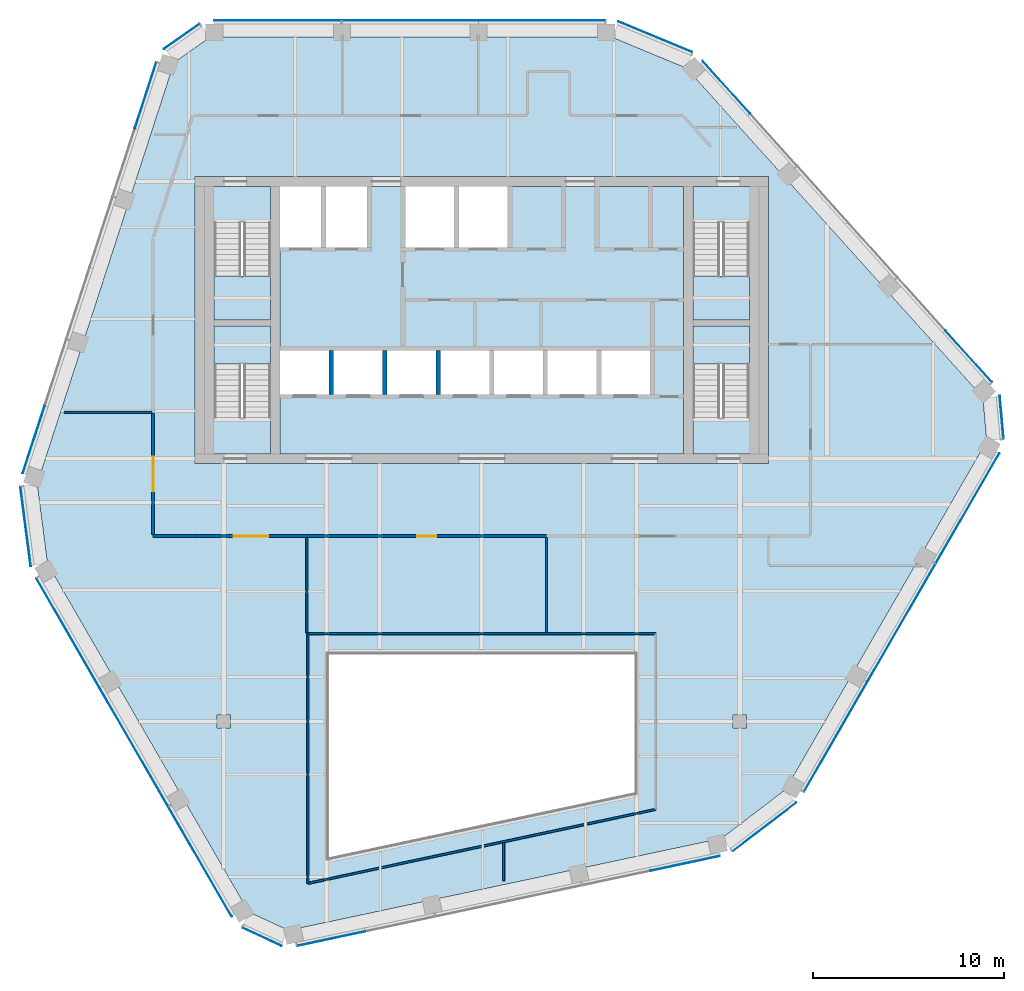
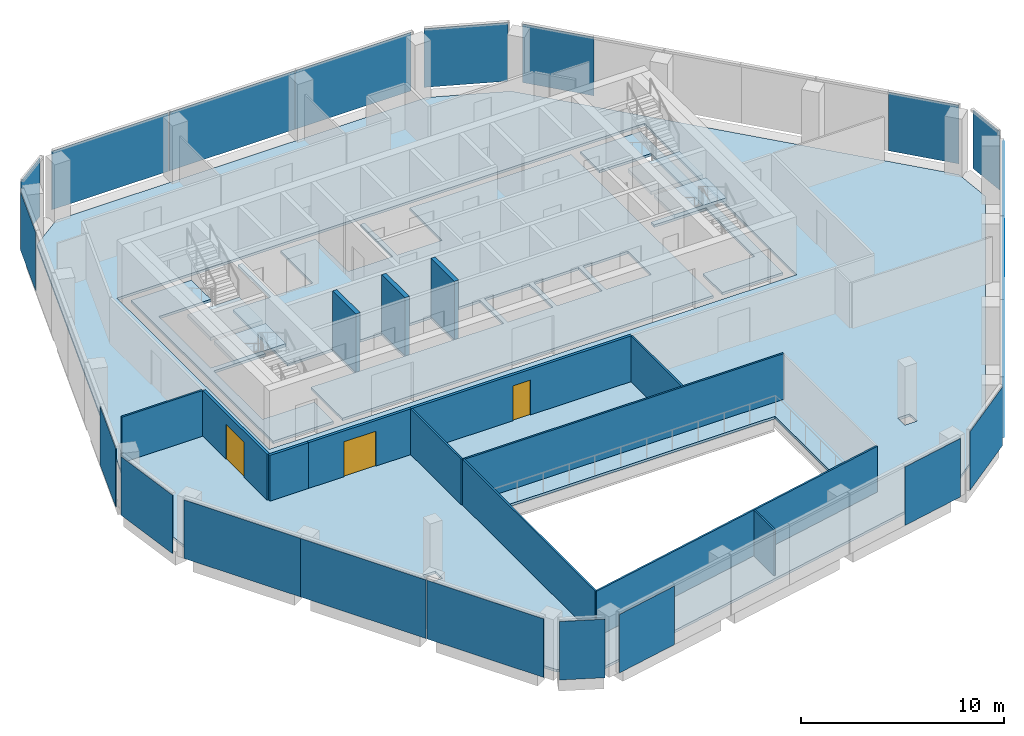
# One storey, part 7 of 15: 21 plates, 14 walls, 8 slabs, 3 doors, 3 openings, 16 elements without a shape of their own.
"""IFC4 building model written with IfcOpenShell, lengths in metres."""

from ifc_helpers import new_model, si_unit, direction, frame, frame_2d, origin, origin_2d, place, context, subcontext, project, spatial, polyline, rectangle, outline, extrude, material, layer, layer_set, type_object, element, fill, aggregate, save


model = new_model("IFC4")

# Units and contexts
model_context = context("Model", 3, precision=1e-05, world=origin(), true_north=direction((0.0, 1.0)))
body_context = subcontext(model_context, "Body", "Model", "MODEL_VIEW")
ifc_project = project(units=[si_unit("LENGTHUNIT", "METRE"), si_unit("AREAUNIT", "SQUARE_METRE"), si_unit("VOLUMEUNIT", "CUBIC_METRE"), si_unit("PLANEANGLEUNIT", "RADIAN"), si_unit("MASSUNIT", "GRAM", prefix="KILO")], contexts=[model_context])

# Site, building, storey
site_placement = place(None, origin())
site = spatial("IfcSite", under=ifc_project, at=site_placement, CompositionType="ELEMENT")
building_placement = place(site_placement, origin())
building = spatial("IfcBuilding", under=site, at=building_placement, Name="Isthmus Gate Tower", CompositionType="ELEMENT")
storey_placement = place(building_placement, frame((0.0, 0.0, 275.550048828125)))
storey = spatial("IfcBuildingStorey", under=building, at=storey_placement, Name="L70", CompositionType="ELEMENT", Elevation=275.550048828125)

# Slabs
ifc_material_1 = material(Name="Concrete f'c 40 MPa", Category="concrete")
ifc_layer_1 = layer(ifc_material_1, 0.14990234375)
ifc_layer_set_1 = layer_set([ifc_layer_1], Name="COMPOSITE FLOOR SLAB 150")
slab_type_1 = type_object("IfcSlabType", Name="COMPOSITE FLOOR SLAB 150", PredefinedType="FLOOR", material=ifc_layer_set_1)
slab_1_placement = place(storey_placement, frame((0.0, 0.0, -0.150146484375)))
element("IfcSlab", 1, at=slab_1_placement, inside=storey, type_object=slab_type_1, Name="str-slab-L70-1", PredefinedType="FLOOR", context=body_context, shape_type="SweptSolid", body=[
    extrude(outline(polyline([(10.7080078125, 20.68310546875), (26.218017578125, 3.45751953125), (26.423583984375, 1.1669921875), (15.902587890625, -17.055908203125), (12.55810546875, -19.614990234375), (-10.11474609375, -24.434326171875), (-12.201171875, -23.467041015625), (-22.72216796875, -5.243896484375), (-23.26611328125, -1.068115234375), (-16.103515625, 20.976806640625), (-14.22265625, 22.300048828125), (6.819580078125, 22.300048828125), (10.7080078125, 20.68310546875)]), holes=[polyline([(-8.0, -10.0), (-8.0, -20.611083984375), (8.0, -17.210205078125), (8.0, -10.0), (-8.0, -10.0)]), polyline([(-13.85009765625, -13.14990234375), (-13.85009765625, -13.85009765625), (-13.14990234375, -13.85009765625), (-13.14990234375, -13.14990234375), (-13.85009765625, -13.14990234375)]), polyline([(13.14990234375, -13.14990234375), (13.14990234375, -13.85009765625), (13.85009765625, -13.85009765625), (13.85009765625, -13.14990234375), (13.14990234375, -13.14990234375)]), polyline([(-15.0, 0.0), (15.0, 0.0), (15.0, 15.0), (-15.0, 15.0), (-15.0, 0.0)])]), origin(), (0.0, 0.0, 1.0), 0.150146484375),
])
ifc_material_2 = material(Name="Concrete f'c 40 MPa", Category="concrete")
ifc_layer_2 = layer(ifc_material_2, 0.14990234375)
ifc_layer_set_2 = layer_set([ifc_layer_2], Name="CORE FLOOR SLAB 150")
slab_type_2 = type_object("IfcSlabType", Name="CORE FLOOR SLAB 150", PredefinedType="FLOOR", material=ifc_layer_set_2)
slab_2_placement = place(storey_placement, frame((0.0, 0.0, -0.150146484375)))
element("IfcSlab", 2, at=slab_2_placement, inside=storey, type_object=slab_type_2, Name="L70 core floor", PredefinedType="FLOOR", context=body_context, shape_type="SweptSolid", body=[
    extrude(outline(polyline([(-11.050048828125, 0.5), (-11.050048828125, 2.402099609375), (-14.0, 2.402099609375), (-14.0, 7.199951171875), (-11.050048828125, 7.199951171875), (-11.050048828125, 7.5), (-14.0, 7.5), (-14.0, 12.597900390625), (-11.050048828125, 12.597900390625), (-11.050048828125, 14.5), (-14.5, 14.5), (-14.5, 0.5), (-11.050048828125, 0.5)])), origin(), (0.0, 0.0, 1.0), 0.150146484375),
])
slab_3_placement = place(storey_placement, frame((0.0, 0.0, -0.150146484375)))
element("IfcSlab", 3, at=slab_3_placement, inside=storey, type_object=slab_type_2, Name="L70 core floor", PredefinedType="FLOOR", context=body_context, shape_type="SweptSolid", body=[
    extrude(outline(polyline([(10.550048828125, 14.5), (1.35009765625, 14.5), (1.35009765625, 11.300048828125), (-1.199951171875, 11.300048828125), (-1.199951171875, 14.5), (-1.449951171875, 14.5), (-1.449951171875, 11.300048828125), (-4.0, 11.300048828125), (-4.0, 14.5), (-6.0, 14.5), (-6.0, 11.300048828125), (-8.14990234375, 11.300048828125), (-8.14990234375, 14.5), (-8.39990234375, 14.5), (-8.39990234375, 11.300048828125), (-10.550048828125, 11.300048828125), (-10.550048828125, 5.89990234375), (-8.0, 5.89990234375), (-8.0, 3.60009765625), (-10.550048828125, 3.60009765625), (-10.550048828125, 0.5), (10.550048828125, 0.5), (10.550048828125, 14.5)]), holes=[polyline([(-5.199951171875, 5.89990234375), (-5.199951171875, 3.60009765625), (-7.75, 3.60009765625), (-7.75, 5.89990234375), (-5.199951171875, 5.89990234375)]), polyline([(-2.39990234375, 5.89990234375), (-2.39990234375, 3.60009765625), (-4.949951171875, 3.60009765625), (-4.949951171875, 5.89990234375), (-2.39990234375, 5.89990234375)]), polyline([(0.39990234375, 5.89990234375), (0.39990234375, 3.60009765625), (-2.14990234375, 3.60009765625), (-2.14990234375, 5.89990234375), (0.39990234375, 5.89990234375)]), polyline([(3.199951171875, 5.89990234375), (3.199951171875, 3.60009765625), (0.64990234375, 3.60009765625), (0.64990234375, 5.89990234375), (3.199951171875, 5.89990234375)]), polyline([(6.0, 5.89990234375), (6.0, 3.60009765625), (3.449951171875, 3.60009765625), (3.449951171875, 5.89990234375), (6.0, 5.89990234375)]), polyline([(8.800048828125, 5.89990234375), (8.800048828125, 3.60009765625), (6.25, 3.60009765625), (6.25, 5.89990234375), (8.800048828125, 5.89990234375)])]), origin(), (0.0, 0.0, 1.0), 0.150146484375),
])
slab_4_placement = place(storey_placement, frame((0.0, 0.0, -0.150146484375)))
element("IfcSlab", 4, at=slab_4_placement, inside=storey, type_object=slab_type_2, Name="L70 core floor", PredefinedType="FLOOR", context=body_context, shape_type="SweptSolid", body=[
    extrude(outline(polyline([(11.050048828125, 14.5), (11.050048828125, 12.597900390625), (14.0, 12.597900390625), (14.0, 7.5), (11.050048828125, 7.5), (11.050048828125, 7.199951171875), (14.0, 7.199951171875), (14.0, 2.402099609375), (11.050048828125, 2.402099609375), (11.050048828125, 0.5), (14.5, 0.5), (14.5, 14.5), (11.050048828125, 14.5)])), origin(), (0.0, 0.0, 1.0), 0.150146484375),
])

# Curtain wall, plates
ifc_material_3 = material(Name="Aluminium, pale champagne anodised", Category="aluminium")
ifc_layer_3 = layer(ifc_material_3, 0.199951171875)
ifc_layer_set_3 = layer_set([ifc_layer_3], Name="CW-1 UNITISED CURTAIN WALL 200 DEEP")
curtain_wall_type = type_object("IfcCurtainWallType", Name="CW-1 UNITISED CURTAIN WALL 200 DEEP", PredefinedType="NOTDEFINED", material=ifc_layer_set_3)
curtain_wall_1_placement = place(storey_placement, origin())
curtain_wall_1 = element("IfcCurtainWall", 5, at=curtain_wall_1_placement, inside=storey, type_object=curtain_wall_type, Name="CW-1 N L70", PredefinedType="NOTDEFINED")
ifc_material_4 = material(Name="Laminated low-iron glass, pale blue tint", Category="glass")
ifc_layer_4 = layer(ifc_material_4, 0.031982421875)
ifc_layer_set_4 = layer_set([ifc_layer_4], Name="CW-1 CLEAR GLASS LITE 32")
plate_type = type_object("IfcPlateType", Name="CW-1 CLEAR GLASS LITE 32", PredefinedType="CURTAIN_PANEL", material=ifc_layer_set_4)
plate_1_placement = place(storey_placement, frame((3.13720703125, 23.18408203125, 0.0), z_axis=(0.0, 0.0, 1.0), x_axis=(-1.0, 0.0, 0.0)))
plate_1 = element("IfcPlate", 6, at=plate_1_placement, type_object=plate_type, Name="CW-1 glass lite", PredefinedType="CURTAIN_PANEL", context=body_context, shape_type="SweptSolid", body=[
    extrude(rectangle(XDim=6.62451171875, YDim=0.031982421875, at=origin_2d()), origin(), (0.0, 0.0, 1.0), 3.52001953125),
])
plate_2_placement = place(storey_placement, frame((-3.742431640625, 23.18408203125, 0.0), z_axis=(0.0, 0.0, 1.0), x_axis=(-1.0, 0.0, 0.0)))
plate_2 = element("IfcPlate", 7, at=plate_2_placement, type_object=plate_type, Name="CW-1 glass lite", PredefinedType="CURTAIN_PANEL", context=body_context, shape_type="SweptSolid", body=[
    extrude(rectangle(XDim=7.134521484375, YDim=0.031982421875, at=origin_2d()), origin(), (0.0, 0.0, 1.0), 3.52001953125),
])
plate_3_placement = place(storey_placement, frame((-10.681884765625, 23.18408203125, 0.0), z_axis=(0.0, 0.0, 1.0), x_axis=(-1.0, 0.0, 0.0)))
plate_3 = element("IfcPlate", 8, at=plate_3_placement, type_object=plate_type, Name="CW-1 glass lite", PredefinedType="CURTAIN_PANEL", context=body_context, shape_type="SweptSolid", body=[
    extrude(rectangle(XDim=6.62451171875, YDim=0.031982421875, at=origin_2d()), origin(), (0.0, 0.0, 1.0), 3.52001953125),
])
aggregate(curtain_wall_1, [plate_1, plate_2, plate_3])

# Curtain wall, plate
curtain_wall_2_placement = place(storey_placement, origin())
curtain_wall_2 = element("IfcCurtainWall", 9, at=curtain_wall_2_placement, inside=storey, type_object=curtain_wall_type, Name="CW-1 N-NW L70", PredefinedType="NOTDEFINED")
plate_4_placement = place(storey_placement, frame((-15.6953125, 22.3447265625, 0.0), z_axis=(0.0, 0.0, 1.0), x_axis=(-0.81785959165, -0.57541783805, 0.0)))
plate_4 = element("IfcPlate", 10, at=plate_4_placement, type_object=plate_type, Name="CW-1 glass lite", PredefinedType="CURTAIN_PANEL", context=body_context, shape_type="SweptSolid", body=[
    extrude(rectangle(XDim=2.258544921875, YDim=0.031982421875, at=origin_2d()), origin(), (0.0, 0.0, 1.0), 3.52001953125),
])
aggregate(curtain_wall_2, [plate_4])

# Curtain wall, plates
curtain_wall_3_placement = place(storey_placement, origin())
curtain_wall_3 = element("IfcCurtainWall", 11, at=curtain_wall_3_placement, inside=storey, type_object=curtain_wall_type, Name="CW-1 NW L70", PredefinedType="NOTDEFINED")
plate_5_placement = place(storey_placement, frame((-17.592529296875, 19.254150390625, 0.0), z_axis=(0.0, 0.0, 1.0), x_axis=(-0.309016994375, -0.951056516295, 0.0)))
plate_5 = element("IfcPlate", 12, at=plate_5_placement, type_object=plate_type, Name="CW-1 glass lite", PredefinedType="CURTAIN_PANEL", context=body_context, shape_type="SweptSolid", body=[
    extrude(rectangle(XDim=3.643310546875, YDim=0.031982421875, at=origin_2d()), origin(), (0.0, 0.0, 1.0), 3.52001953125),
])
plate_6_placement = place(storey_placement, frame((-23.4443359375, 1.244140625, 0.0), z_axis=(0.0, 0.0, 1.0), x_axis=(-0.309016994375, -0.951056516295, 0.0)))
plate_6 = element("IfcPlate", 13, at=plate_6_placement, type_object=plate_type, Name="CW-1 glass lite", PredefinedType="CURTAIN_PANEL", context=body_context, shape_type="SweptSolid", body=[
    extrude(rectangle(XDim=3.703369140625, YDim=0.031982421875, at=origin_2d()), origin(), (0.0, 0.0, 1.0), 3.52001953125),
])
aggregate(curtain_wall_3, [plate_5, plate_6])

# Curtain wall, plate
curtain_wall_4_placement = place(storey_placement, origin())
curtain_wall_4 = element("IfcCurtainWall", 14, at=curtain_wall_4_placement, inside=storey, type_object=curtain_wall_type, Name="CW-1 NW-SW L70", PredefinedType="NOTDEFINED")
plate_7_placement = place(storey_placement, frame((-23.866943359375, -3.2998046875, 0.0), z_axis=(0.0, 0.0, 1.0), x_axis=(0.129164534, -0.991623175988, 0.0)))
plate_7 = element("IfcPlate", 15, at=plate_7_placement, type_object=plate_type, Name="CW-1 glass lite", PredefinedType="CURTAIN_PANEL", context=body_context, shape_type="SweptSolid", body=[
    extrude(rectangle(XDim=4.181396484375, YDim=0.031982421875, at=origin_2d()), origin(), (0.0, 0.0, 1.0), 3.52001953125),
])
aggregate(curtain_wall_4, [plate_7])

# Curtain wall, plates
curtain_wall_5_placement = place(storey_placement, origin())
curtain_wall_5 = element("IfcCurtainWall", 16, at=curtain_wall_5_placement, inside=storey, type_object=curtain_wall_type, Name="CW-1 SW L70", PredefinedType="NOTDEFINED")
plate_8_placement = place(storey_placement, frame((-21.646484375, -8.875244140625, 0.0), z_axis=(0.0, 0.0, 1.0), x_axis=(0.5, -0.866025403784, 0.0)))
plate_8 = element("IfcPlate", 17, at=plate_8_placement, type_object=plate_type, Name="CW-1 glass lite", PredefinedType="CURTAIN_PANEL", context=body_context, shape_type="SweptSolid", body=[
    extrude(rectangle(XDim=6.62451171875, YDim=0.031982421875, at=origin_2d()), origin(), (0.0, 0.0, 1.0), 3.52001953125),
])
plate_9_placement = place(storey_placement, frame((-18.206787109375, -14.8330078125, 0.0), z_axis=(0.0, 0.0, 1.0), x_axis=(0.5, -0.866025403784, 0.0)))
plate_9 = element("IfcPlate", 18, at=plate_9_placement, type_object=plate_type, Name="CW-1 glass lite", PredefinedType="CURTAIN_PANEL", context=body_context, shape_type="SweptSolid", body=[
    extrude(rectangle(XDim=7.134521484375, YDim=0.031982421875, at=origin_2d()), origin(), (0.0, 0.0, 1.0), 3.52001953125),
])
plate_10_placement = place(storey_placement, frame((-14.737060546875, -20.8427734375, 0.0), z_axis=(0.0, 0.0, 1.0), x_axis=(0.5, -0.866025403784, 0.0)))
plate_10 = element("IfcPlate", 19, at=plate_10_placement, type_object=plate_type, Name="CW-1 glass lite", PredefinedType="CURTAIN_PANEL", context=body_context, shape_type="SweptSolid", body=[
    extrude(rectangle(XDim=6.62451171875, YDim=0.031982421875, at=origin_2d()), origin(), (0.0, 0.0, 1.0), 3.52001953125),
])
aggregate(curtain_wall_5, [plate_8, plate_9, plate_10])

# Curtain wall, plate
curtain_wall_6_placement = place(storey_placement, origin())
curtain_wall_6 = element("IfcCurtainWall", 20, at=curtain_wall_6_placement, inside=storey, type_object=curtain_wall_type, Name="CW-1 SW-S L70", PredefinedType="NOTDEFINED")
plate_11_placement = place(storey_placement, frame((-11.50341796875, -24.764892578125, 0.0), z_axis=(0.0, 0.0, 1.0), x_axis=(0.907256261367, -0.420578264073, 0.0)))
plate_11 = element("IfcPlate", 21, at=plate_11_placement, type_object=plate_type, Name="CW-1 glass lite", PredefinedType="CURTAIN_PANEL", context=body_context, shape_type="SweptSolid", body=[
    extrude(rectangle(XDim=2.258544921875, YDim=0.031982421875, at=origin_2d()), origin(), (0.0, 0.0, 1.0), 3.52001953125),
])
aggregate(curtain_wall_6, [plate_11])

# Curtain wall, plates
curtain_wall_7_placement = place(storey_placement, origin())
curtain_wall_7 = element("IfcCurtainWall", 22, at=curtain_wall_7_placement, inside=storey, type_object=curtain_wall_type, Name="CW-1 S L70", PredefinedType="NOTDEFINED")
plate_12_placement = place(storey_placement, frame((-7.87841796875, -24.86279296875, 0.0), z_axis=(0.0, 0.0, 1.0), x_axis=(0.978147600734, 0.207911690818, 0.0)))
plate_12 = element("IfcPlate", 23, at=plate_12_placement, type_object=plate_type, Name="CW-1 glass lite", PredefinedType="CURTAIN_PANEL", context=body_context, shape_type="SweptSolid", body=[
    extrude(rectangle(XDim=3.643310546875, YDim=0.031982421875, at=origin_2d()), origin(), (0.0, 0.0, 1.0), 3.52001953125),
])
plate_13_placement = place(storey_placement, frame((10.644775390625, -20.925537109375, 0.0), z_axis=(0.0, 0.0, 1.0), x_axis=(0.978147600734, 0.207911690818, 0.0)))
plate_13 = element("IfcPlate", 24, at=plate_13_placement, type_object=plate_type, Name="CW-1 glass lite", PredefinedType="CURTAIN_PANEL", context=body_context, shape_type="SweptSolid", body=[
    extrude(rectangle(XDim=3.703369140625, YDim=0.031982421875, at=origin_2d()), origin(), (0.0, 0.0, 1.0), 3.52001953125),
])
aggregate(curtain_wall_7, [plate_12, plate_13])

# Curtain wall, plate
curtain_wall_8_placement = place(storey_placement, origin())
curtain_wall_8 = element("IfcCurtainWall", 25, at=curtain_wall_8_placement, inside=storey, type_object=curtain_wall_type, Name="CW-1 S-SE L70", PredefinedType="NOTDEFINED")
plate_14_placement = place(storey_placement, frame((14.791259765625, -19.01953125, 0.0), z_axis=(0.0, 0.0, 1.0), x_axis=(0.794188594387, 0.607671355706, 0.0)))
plate_14 = element("IfcPlate", 26, at=plate_14_placement, type_object=plate_type, Name="CW-1 glass lite", PredefinedType="CURTAIN_PANEL", context=body_context, shape_type="SweptSolid", body=[
    extrude(rectangle(XDim=4.181396484375, YDim=0.031982421875, at=origin_2d()), origin(), (0.0, 0.0, 1.0), 3.52001953125),
])
aggregate(curtain_wall_8, [plate_14])

# Curtain wall, plates
curtain_wall_9_placement = place(storey_placement, origin())
curtain_wall_9 = element("IfcCurtainWall", 27, at=curtain_wall_9_placement, inside=storey, type_object=curtain_wall_type, Name="CW-1 SE L70", PredefinedType="NOTDEFINED")
plate_15_placement = place(storey_placement, frame((18.50927734375, -14.308837890625, 0.0), z_axis=(0.0, 0.0, 1.0), x_axis=(0.5, 0.866025403784, 0.0)))
plate_15 = element("IfcPlate", 28, at=plate_15_placement, type_object=plate_type, Name="CW-1 glass lite", PredefinedType="CURTAIN_PANEL", context=body_context, shape_type="SweptSolid", body=[
    extrude(rectangle(XDim=6.62451171875, YDim=0.031982421875, at=origin_2d()), origin(), (0.0, 0.0, 1.0), 3.52001953125),
])
plate_16_placement = place(storey_placement, frame((21.94921875, -8.35107421875, 0.0), z_axis=(0.0, 0.0, 1.0), x_axis=(0.5, 0.866025403784, 0.0)))
plate_16 = element("IfcPlate", 29, at=plate_16_placement, type_object=plate_type, Name="CW-1 glass lite", PredefinedType="CURTAIN_PANEL", context=body_context, shape_type="SweptSolid", body=[
    extrude(rectangle(XDim=7.134521484375, YDim=0.031982421875, at=origin_2d()), origin(), (0.0, 0.0, 1.0), 3.52001953125),
])
plate_17_placement = place(storey_placement, frame((25.4189453125, -2.34130859375, 0.0), z_axis=(0.0, 0.0, 1.0), x_axis=(0.5, 0.866025403784, 0.0)))
plate_17 = element("IfcPlate", 30, at=plate_17_placement, type_object=plate_type, Name="CW-1 glass lite", PredefinedType="CURTAIN_PANEL", context=body_context, shape_type="SweptSolid", body=[
    extrude(rectangle(XDim=6.62451171875, YDim=0.031982421875, at=origin_2d()), origin(), (0.0, 0.0, 1.0), 3.52001953125),
])
aggregate(curtain_wall_9, [plate_15, plate_16, plate_17])

# Curtain wall, plate
curtain_wall_10_placement = place(storey_placement, origin())
curtain_wall_10 = element("IfcCurtainWall", 31, at=curtain_wall_10_placement, inside=storey, type_object=curtain_wall_type, Name="CW-1 SE-NE L70", PredefinedType="NOTDEFINED")
plate_18_placement = place(storey_placement, frame((27.19873046875, 2.420166015625, 0.0), z_axis=(0.0, 0.0, 1.0), x_axis=(-0.089396669717, 0.995996102123, 0.0)))
plate_18 = element("IfcPlate", 32, at=plate_18_placement, type_object=plate_type, Name="CW-1 glass lite", PredefinedType="CURTAIN_PANEL", context=body_context, shape_type="SweptSolid", body=[
    extrude(rectangle(XDim=2.258544921875, YDim=0.031982421875, at=origin_2d()), origin(), (0.0, 0.0, 1.0), 3.52001953125),
])
aggregate(curtain_wall_10, [plate_18])

# Curtain wall, plates
curtain_wall_11_placement = place(storey_placement, origin())
curtain_wall_11 = element("IfcCurtainWall", 33, at=curtain_wall_11_placement, inside=storey, type_object=curtain_wall_type, Name="CW-1 NE L70", PredefinedType="NOTDEFINED")
plate_19_placement = place(storey_placement, frame((25.470947265625, 5.6083984375, 0.0), z_axis=(0.0, 0.0, 1.0), x_axis=(-0.669130606359, 0.743144825477, 0.0)))
plate_19 = element("IfcPlate", 34, at=plate_19_placement, type_object=plate_type, Name="CW-1 glass lite", PredefinedType="CURTAIN_PANEL", context=body_context, shape_type="SweptSolid", body=[
    extrude(rectangle(XDim=3.643310546875, YDim=0.031982421875, at=origin_2d()), origin(), (0.0, 0.0, 1.0), 3.52001953125),
])
plate_20_placement = place(storey_placement, frame((12.799560546875, 19.681396484375, 0.0), z_axis=(0.0, 0.0, 1.0), x_axis=(-0.669130606359, 0.743144825477, 0.0)))
plate_20 = element("IfcPlate", 35, at=plate_20_placement, type_object=plate_type, Name="CW-1 glass lite", PredefinedType="CURTAIN_PANEL", context=body_context, shape_type="SweptSolid", body=[
    extrude(rectangle(XDim=3.703369140625, YDim=0.031982421875, at=origin_2d()), origin(), (0.0, 0.0, 1.0), 3.52001953125),
])
aggregate(curtain_wall_11, [plate_19, plate_20])

# Curtain wall, plate
curtain_wall_12_placement = place(storey_placement, origin())
curtain_wall_12 = element("IfcCurtainWall", 36, at=curtain_wall_12_placement, inside=storey, type_object=curtain_wall_type, Name="CW-1 NE-N L70", PredefinedType="NOTDEFINED")
plate_21_placement = place(storey_placement, frame((9.07568359375, 22.3193359375, 0.0), z_axis=(0.0, 0.0, 1.0), x_axis=(-0.923353128387, 0.383951820282, 0.0)))
plate_21 = element("IfcPlate", 37, at=plate_21_placement, type_object=plate_type, Name="CW-1 glass lite", PredefinedType="CURTAIN_PANEL", context=body_context, shape_type="SweptSolid", body=[
    extrude(rectangle(XDim=4.181396484375, YDim=0.031982421875, at=origin_2d()), origin(), (0.0, 0.0, 1.0), 3.52001953125),
])
aggregate(curtain_wall_12, [plate_21])

# Stair, slab
ifc_material_5 = material(Name="Concrete f'c 40 MPa", Category="concrete")
stair_type = type_object("IfcStairType", Name="CORE STAIR 22 RISERS", PredefinedType="HALF_TURN_STAIR", material=ifc_material_5)
stair_1_placement = place(storey_placement, origin())
stair_1 = element("IfcStair", 38, at=stair_1_placement, inside=storey, type_object=stair_type, Name="L70 Exit Stair 1", PredefinedType="HALF_TURN_STAIR")
ifc_material_6 = material(Name="Concrete f'c 40 MPa", Category="concrete")
ifc_layer_5 = layer(ifc_material_6, 0.199951171875)
ifc_layer_set_5 = layer_set([ifc_layer_5])
slab_type_3 = type_object("IfcSlabType", Name="STAIR LANDING RC 200", PredefinedType="LANDING", material=ifc_layer_set_5)
slab_5_placement = place(storey_placement, frame((0.0, 0.0, 1.625)))
slab_5 = element("IfcSlab", 39, at=slab_5_placement, type_object=slab_type_3, Name="ST1 landing 1", PredefinedType="LANDING", context=body_context, shape_type="SweptSolid", body=[
    extrude(outline(polyline([(-14.0, 9.800048828125), (-14.0, 7.5), (-11.050048828125, 7.5), (-11.050048828125, 9.800048828125), (-14.0, 9.800048828125)])), origin(), (0.0, 0.0, 1.0), 0.199951171875),
])
aggregate(stair_1, [slab_5])

stair_2_placement = place(storey_placement, origin())
stair_2 = element("IfcStair", 40, at=stair_2_placement, inside=storey, type_object=stair_type, Name="L70 Exit Stair 2", PredefinedType="HALF_TURN_STAIR")
slab_6_placement = place(storey_placement, frame((0.0, 0.0, 1.625)))
slab_6 = element("IfcSlab", 41, at=slab_6_placement, type_object=slab_type_3, Name="ST2 landing 1", PredefinedType="LANDING", context=body_context, shape_type="SweptSolid", body=[
    extrude(outline(polyline([(11.050048828125, 9.800048828125), (11.050048828125, 7.5), (14.0, 7.5), (14.0, 9.800048828125), (11.050048828125, 9.800048828125)])), origin(), (0.0, 0.0, 1.0), 0.199951171875),
])
aggregate(stair_2, [slab_6])

stair_3_placement = place(storey_placement, origin())
stair_3 = element("IfcStair", 42, at=stair_3_placement, inside=storey, type_object=stair_type, Name="L70 Exit Stair 7", PredefinedType="HALF_TURN_STAIR")
slab_7_placement = place(storey_placement, frame((0.0, 0.0, 1.625)))
slab_7 = element("IfcSlab", 43, at=slab_7_placement, type_object=slab_type_3, Name="ST7 landing 1", PredefinedType="LANDING", context=body_context, shape_type="SweptSolid", body=[
    extrude(outline(polyline([(-11.050048828125, 5.199951171875), (-11.050048828125, 7.199951171875), (-14.0, 7.199951171875), (-14.0, 5.199951171875), (-11.050048828125, 5.199951171875)])), origin(), (0.0, 0.0, 1.0), 0.199951171875),
])
aggregate(stair_3, [slab_7])

stair_4_placement = place(storey_placement, origin())
stair_4 = element("IfcStair", 44, at=stair_4_placement, inside=storey, type_object=stair_type, Name="L70 Exit Stair 8", PredefinedType="HALF_TURN_STAIR")
slab_8_placement = place(storey_placement, frame((0.0, 0.0, 1.625)))
slab_8 = element("IfcSlab", 45, at=slab_8_placement, type_object=slab_type_3, Name="ST8 landing 1", PredefinedType="LANDING", context=body_context, shape_type="SweptSolid", body=[
    extrude(outline(polyline([(14.0, 5.199951171875), (14.0, 7.199951171875), (11.050048828125, 7.199951171875), (11.050048828125, 5.199951171875), (14.0, 5.199951171875)])), origin(), (0.0, 0.0, 1.0), 0.199951171875),
])
aggregate(stair_4, [slab_8])

# Walls
ifc_material_7 = material(Name="Fire-rated laminated glass in steel frame", Category="steel")
ifc_layer_6 = layer(ifc_material_7, 0.10009765625)
ifc_layer_set_6 = layer_set([ifc_layer_6], Name="ATRIUM SCREEN GLAZED WALL 100 120 MIN")
wall_type_1 = type_object("IfcWallType", Name="ATRIUM SCREEN GLAZED WALL 100 120 MIN", PredefinedType="PARTITIONING", material=ifc_layer_set_6)
wall_1_placement = place(storey_placement, frame((-9.10009765625, -8.89990234375, 0.0), z_axis=(0.0, 0.0, 1.0), x_axis=(1.0, 0.0, 0.0)))
element("IfcWall", 46, at=wall_1_placement, inside=storey, type_object=wall_type_1, Name="L70 atrium screen", PredefinedType="PARTITIONING", context=body_context, shape_type="SweptSolid", body=[
    extrude(rectangle(XDim=18.2001953125, YDim=0.10009765625, at=frame_2d((9.10009765625, 0.0))), origin(), (0.0, 0.0, 1.0), 2.750732421875),
])
wall_2_placement = place(storey_placement, frame((9.10009765625, -18.100830078125, 0.0), z_axis=(0.0, 0.0, 1.0), x_axis=(-0.978146710971, -0.207915876778, 0.0)))
element("IfcWall", 47, at=wall_2_placement, inside=storey, type_object=wall_type_1, Name="L70 atrium screen", PredefinedType="PARTITIONING", context=body_context, shape_type="SweptSolid", body=[
    extrude(rectangle(XDim=18.60693359375, YDim=0.10009765625, at=frame_2d((9.303466796875, 0.0))), origin(), (0.0, 0.0, 1.0), 2.750732421875),
])
wall_3_placement = place(storey_placement, frame((-9.10009765625, -21.969482421875, 0.0), z_axis=(0.0, 0.0, 1.0), x_axis=(0.0, 1.0, 0.0)))
element("IfcWall", 48, at=wall_3_placement, inside=storey, type_object=wall_type_1, Name="L70 atrium screen", PredefinedType="PARTITIONING", context=body_context, shape_type="SweptSolid", body=[
    extrude(rectangle(XDim=13.069580078125, YDim=0.10009765625, at=frame_2d((6.53466796875, 0.0))), origin(), (0.0, 0.0, 1.0), 2.750732421875),
])

# Wall, opening, door
ifc_material_8 = material(Name="Gypsum board on steel studs, fire-rated", Category="steel")
ifc_layer_7 = layer(ifc_material_8, 0.14990234375)
ifc_layer_set_7 = layer_set([ifc_layer_7], Name="CORRIDOR WALL 150 60 MIN")
wall_type_2 = type_object("IfcWallType", Name="CORRIDOR WALL 150 60 MIN", PredefinedType="PARTITIONING", material=ifc_layer_set_7)
wall_4_placement = place(storey_placement, frame((3.385009765625, -3.800048828125, 0.0), z_axis=(0.0, 0.0, 1.0), x_axis=(-1.0, 0.0, 0.0)))
wall_4 = element("IfcWall", 49, at=wall_4_placement, inside=storey, type_object=wall_type_2, Name="L70 Corridor Wall 150 60 Min", PredefinedType="PARTITIONING", context=body_context, shape_type="SweptSolid", body=[
    extrude(rectangle(XDim=12.532958984375, YDim=0.14990234375, at=frame_2d((6.2666015625, 0.0))), origin(), (0.0, 0.0, 1.0), 2.750732421875),
])
opening_1_placement = place(wall_4_placement, frame((5.7666015625, 0.0, 0.0)))
opening_1 = element("IfcOpeningElement", 50, at=opening_1_placement, cuts=wall_4, Name="Opening DT-T6B-07", PredefinedType="OPENING", context=body_context, shape_type="SweptSolid", body=[
    extrude(rectangle(XDim=1.0, YDim=2.10009765625, at=frame_2d((0.5, 1.050048828125))), frame((0.0, 0.0849609375, 0.0), z_axis=(0.0, -1.0, 0.0), x_axis=(1.0, 0.0, 0.0)), (0.0, 0.0, 1.0), 0.169921875),
])
ifc_material_9 = material(Name="Solid core timber door leaf, fire-rated", Category="wood")
door_type_1 = type_object("IfcDoorType", Name="FIRE DOOR ROOM 1000 X 2100 60 MIN", OperationType="SINGLE_SWING_LEFT", PredefinedType="DOOR", material=ifc_material_9)
door_1_placement = place(opening_1_placement, origin())
door_1 = element("IfcDoor", 51, at=door_1_placement, inside=storey, type_object=door_type_1, Name="L70 room door", OperationType="SINGLE_SWING_RIGHT", OverallHeight=2.10009765625, OverallWidth=1.0, PredefinedType="DOOR", context=body_context, shape_type="SweptSolid", body=[
    extrude(rectangle(XDim=1.0, YDim=2.10009765625, at=frame_2d((0.5, 1.050048828125))), frame((0.0, 0.02490234375, 0.0), z_axis=(0.0, -1.0, 0.0), x_axis=(1.0, 0.0, 0.0)), (0.0, 0.0, 1.0), 0.050048828125),
])
fill(opening_1, door_1)

wall_5_placement = place(storey_placement, frame((-9.14794921875, -3.800048828125, 0.0), z_axis=(0.0, 0.0, 1.0), x_axis=(-1.0, 0.0, 0.0)))
wall_5 = element("IfcWall", 52, at=wall_5_placement, inside=storey, type_object=wall_type_2, Name="L70 Corridor Wall 150 60 Min", PredefinedType="PARTITIONING", context=body_context, shape_type="SweptSolid", body=[
    extrude(rectangle(XDim=5.85205078125, YDim=0.14990234375, at=frame_2d((2.926025390625, 0.0))), origin(), (0.0, 0.0, 1.0), 2.750732421875),
])
opening_2_placement = place(wall_5_placement, frame((2.02587890625, 0.0, 0.0)))
opening_2 = element("IfcOpeningElement", 53, at=opening_2_placement, cuts=wall_5, Name="Opening DT-T6B-09", PredefinedType="OPENING", context=body_context, shape_type="SweptSolid", body=[
    extrude(rectangle(XDim=1.800048828125, YDim=2.10009765625, at=frame_2d((0.89990234375, 1.050048828125))), frame((0.0, 0.0849609375, 0.0), z_axis=(0.0, -1.0, 0.0), x_axis=(1.0, 0.0, 0.0)), (0.0, 0.0, 1.0), 0.169921875),
])
ifc_material_10 = material(Name="Solid core timber door leaf, fire-rated", Category="wood")
door_type_2 = type_object("IfcDoorType", Name="FIRE DOOR ROOM 1800 X 2100 60 MIN", OperationType="DOUBLE_DOOR_DOUBLE_SWING", PredefinedType="DOOR", material=ifc_material_10)
door_2_placement = place(opening_2_placement, origin())
door_2 = element("IfcDoor", 54, at=door_2_placement, inside=storey, type_object=door_type_2, Name="L70 room door", OperationType="DOUBLE_DOOR_DOUBLE_SWING", OverallHeight=2.10009765625, OverallWidth=1.800048828125, PredefinedType="DOOR", context=body_context, shape_type="SweptSolid", body=[
    extrude(rectangle(XDim=1.800048828125, YDim=2.10009765625, at=frame_2d((0.89990234375, 1.050048828125))), frame((0.0, 0.02490234375, 0.0), z_axis=(0.0, -1.0, 0.0), x_axis=(1.0, 0.0, 0.0)), (0.0, 0.0, 1.0), 0.050048828125),
])
fill(opening_2, door_2)

# Wall
wall_6_placement = place(storey_placement, frame((-15.0, -3.800048828125, 0.0), z_axis=(0.0, 0.0, 1.0), x_axis=(-1.0, 0.0, 0.0)))
element("IfcWall", 55, at=wall_6_placement, inside=storey, type_object=wall_type_2, Name="L70 Corridor Wall 150 60 Min", PredefinedType="PARTITIONING", context=body_context, shape_type="SweptSolid", body=[
    extrude(rectangle(XDim=2.199951171875, YDim=0.14990234375, at=frame_2d((1.10009765625, 0.0))), origin(), (0.0, 0.0, 1.0), 2.750732421875),
])

# Wall, opening, door
wall_7_placement = place(storey_placement, frame((-17.199951171875, -3.72509765625, 0.0), z_axis=(0.0, 0.0, 1.0), x_axis=(0.0, 1.0, 0.0)))
wall_7 = element("IfcWall", 56, at=wall_7_placement, inside=storey, type_object=wall_type_2, Name="L70 Corridor Wall 150 60 Min", PredefinedType="PARTITIONING", context=body_context, shape_type="SweptSolid", body=[
    extrude(rectangle(XDim=6.34521484375, YDim=0.14990234375, at=frame_2d((3.172607421875, 0.0))), origin(), (0.0, 0.0, 1.0), 2.750732421875),
])
opening_3_placement = place(wall_7_placement, frame((2.2724609375, 0.0, 0.0)))
opening_3 = element("IfcOpeningElement", 57, at=opening_3_placement, cuts=wall_7, Name="Opening DT-T6B-08", PredefinedType="OPENING", context=body_context, shape_type="SweptSolid", body=[
    extrude(rectangle(XDim=1.800048828125, YDim=2.10009765625, at=frame_2d((0.89990234375, 1.050048828125))), frame((0.0, 0.0849609375, 0.0), z_axis=(0.0, -1.0, 0.0), x_axis=(1.0, 0.0, 0.0)), (0.0, 0.0, 1.0), 0.169921875),
])
door_3_placement = place(opening_3_placement, origin())
door_3 = element("IfcDoor", 58, at=door_3_placement, inside=storey, type_object=door_type_2, Name="L70 room door", OperationType="DOUBLE_DOOR_DOUBLE_SWING", OverallHeight=2.10009765625, OverallWidth=1.800048828125, PredefinedType="DOOR", context=body_context, shape_type="SweptSolid", body=[
    extrude(rectangle(XDim=1.800048828125, YDim=2.10009765625, at=frame_2d((0.89990234375, 1.050048828125))), frame((0.0, 0.02490234375, 0.0), z_axis=(0.0, -1.0, 0.0), x_axis=(1.0, 0.0, 0.0)), (0.0, 0.0, 1.0), 0.050048828125),
])
fill(opening_3, door_3)

# Walls
ifc_material_11 = material(Name="Gypsum board on steel studs, fire-rated", Category="steel")
ifc_layer_8 = layer(ifc_material_11, 0.10009765625)
ifc_layer_set_8 = layer_set([ifc_layer_8], Name="ROOM PARTITION 100 30 MIN")
wall_type_3 = type_object("IfcWallType", Name="ROOM PARTITION 100 30 MIN", PredefinedType="PARTITIONING", material=ifc_layer_set_8)
wall_8_placement = place(storey_placement, frame((-21.85693359375, 2.669921875, 0.0), z_axis=(0.0, 0.0, 1.0), x_axis=(1.0, 0.0, 0.0)))
element("IfcWall", 59, at=wall_8_placement, inside=storey, type_object=wall_type_3, Name="L70 Room Partition 100 30 Min", PredefinedType="PARTITIONING", context=body_context, shape_type="SweptSolid", body=[
    extrude(rectangle(XDim=4.58203125, YDim=0.10009765625, at=frame_2d((2.291015625, 0.0))), origin(), (0.0, 0.0, 1.0), 2.750732421875),
])
for number, where, z_axis, x_axis, name in (
    (60, (3.385009765625, -8.85009765625, 0.0), (0.0, 0.0, 1.0), (0.0, 1.0, 0.0), "L70 Room Partition 100 30 Min"),
    (61, (-9.14794921875, -8.85009765625, 0.0), (0.0, 0.0, 1.0), (0.0, 1.0, 0.0), "L70 Room Partition 100 30 Min"),
):
    element("IfcWall", number, at=place(storey_placement, frame(where, z_axis=z_axis, x_axis=x_axis)), inside=storey, type_object=wall_type_3, Name=name, PredefinedType="PARTITIONING", context=body_context, shape_type="SweptSolid", body=[
        extrude(rectangle(XDim=4.97509765625, YDim=0.10009765625, at=frame_2d((2.487548828125, 0.0))), origin(), (0.0, 0.0, 1.0), 2.750732421875),
    ])
wall_9_placement = place(storey_placement, frame((1.14306640625, -21.843994140625, 0.0), z_axis=(0.0, 0.0, 1.0), x_axis=(0.0, 1.0, 0.0)))
element("IfcWall", 62, at=wall_9_placement, inside=storey, type_object=wall_type_3, Name="L70 Room Partition 100 30 Min", PredefinedType="PARTITIONING", context=body_context, shape_type="SweptSolid", body=[
    extrude(rectangle(XDim=2.0009765625, YDim=0.10009765625, at=frame_2d((1.00048828125, 0.0))), origin(), (0.0, 0.0, 1.0), 2.750732421875),
])
ifc_material_12 = material(Name="Fire-rated blockwork masonry, 15 MPa", Category="masonry")
ifc_layer_9 = layer(ifc_material_12, 0.25)
ifc_layer_set_9 = layer_set([ifc_layer_9], Name="SHAFT WALL 250 120 MIN")
wall_type_4 = type_object("IfcWallType", Name="SHAFT WALL 250 120 MIN", PredefinedType="PARTITIONING", material=ifc_layer_set_9)
for number, where, z_axis, x_axis, name in (
    (63, (-7.875, 3.60009765625, 0.0), (0.0, 0.0, 1.0), (0.0, 1.0, 0.0), "L70 SHAFT WALL 250 120 MIN"),
    (64, (-5.074951171875, 3.60009765625, 0.0), (0.0, 0.0, 1.0), (0.0, 1.0, 0.0), "L70 SHAFT WALL 250 120 MIN"),
    (65, (-2.27490234375, 3.60009765625, 0.0), (0.0, 0.0, 1.0), (0.0, 1.0, 0.0), "L70 SHAFT WALL 250 120 MIN"),
):
    element("IfcWall", number, at=place(storey_placement, frame(where, z_axis=z_axis, x_axis=x_axis)), inside=storey, type_object=wall_type_4, Name=name, PredefinedType="PARTITIONING", context=body_context, shape_type="SweptSolid", body=[
        extrude(rectangle(XDim=2.2998046875, YDim=0.25, at=frame_2d((1.14990234375, 0.0))), origin(), (0.0, 0.0, 1.0), 3.5),
    ])

save(model, "model.ifc")
